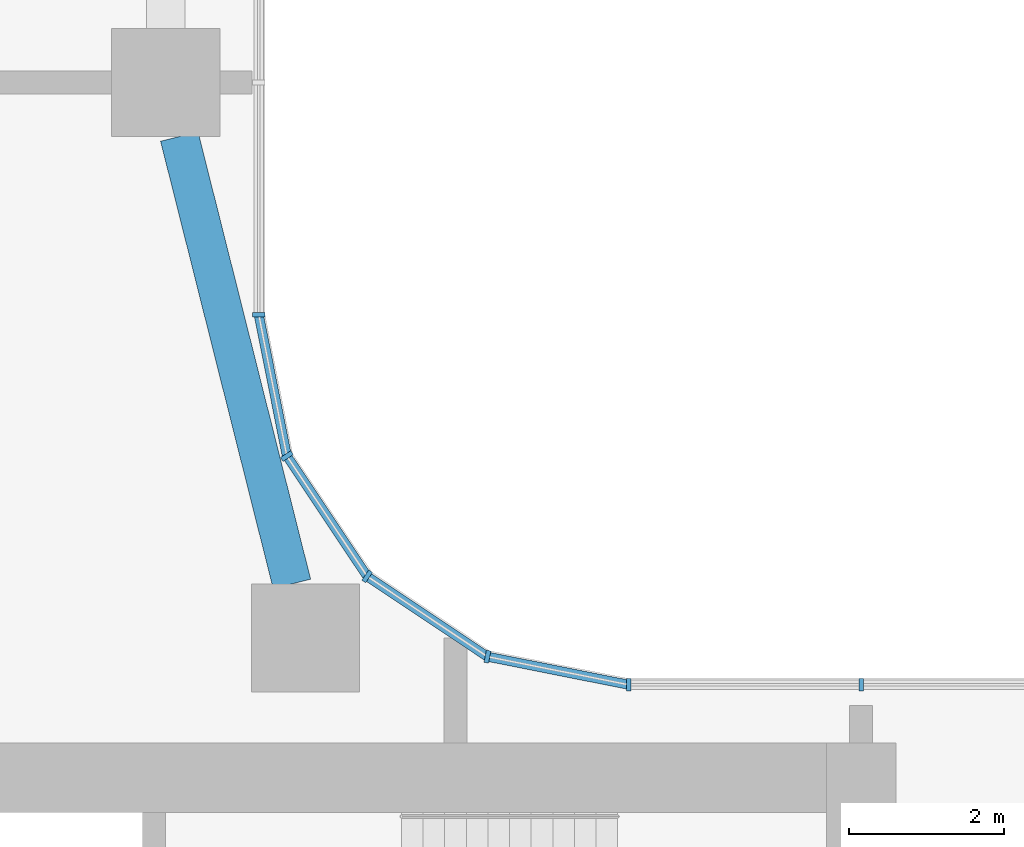
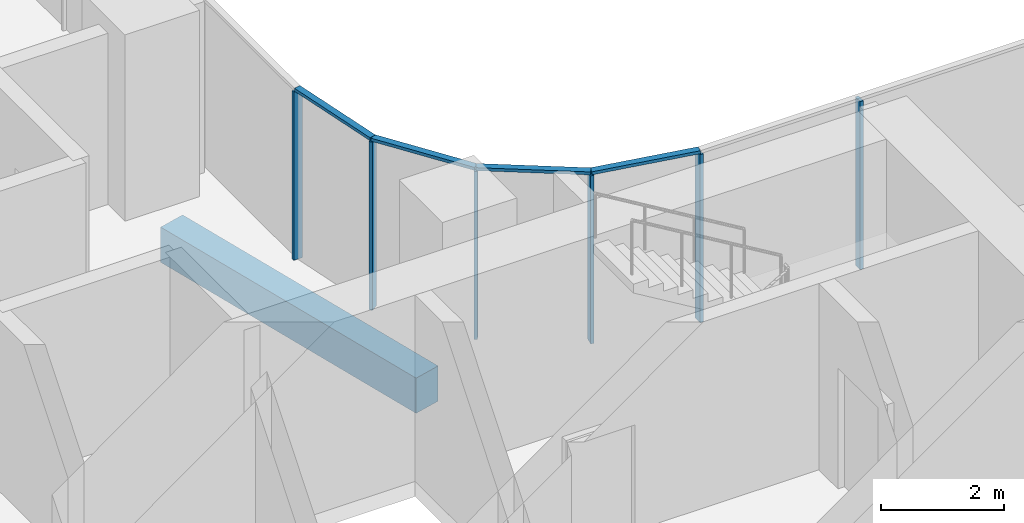
# One storey, part 2 of 36: 10 members, 1 beam, 3 elements without a shape of their own.
"""IFC4 building model written with IfcOpenShell, lengths in metres."""

from ifc_helpers import new_model, si_unit, direction, frame, origin, origin_2d, place, context, subcontext, project, spatial, rectangle, extrude, material, material_profile, profile_set, type_object, element, aggregate, save


model = new_model("IFC4")

# Units and contexts
model_context = context("Model", 3, precision=1e-05, world=origin(), true_north=direction((0.0, 1.0)))
body_context = subcontext(model_context, "Body", "Model", "MODEL_VIEW")
ifc_project = project(units=[si_unit("LENGTHUNIT", "METRE"), si_unit("AREAUNIT", "SQUARE_METRE"), si_unit("VOLUMEUNIT", "CUBIC_METRE"), si_unit("PLANEANGLEUNIT", "RADIAN"), si_unit("MASSUNIT", "GRAM", prefix="KILO")], contexts=[model_context])

# Site, building, storey
site_placement = place(None, origin())
site = spatial("IfcSite", under=ifc_project, at=site_placement, CompositionType="ELEMENT")
building_placement = place(site_placement, origin())
building = spatial("IfcBuilding", under=site, at=building_placement, Name="Ogive Portal Towers", CompositionType="ELEMENT")
storey_placement = place(building_placement, frame((0.0, 0.0, 48.300048828125)))
storey = spatial("IfcBuildingStorey", under=building, at=storey_placement, Name="L10", CompositionType="ELEMENT", Elevation=48.300048828125)

# Curtain wall, members
ifc_material_1 = material(Name="Glass, clear low-iron insulated glazing", Category="glass")
curtain_wall_type = type_object("IfcCurtainWallType", Name="CW FRONT RIBBON 4500", PredefinedType="NOTDEFINED", material=ifc_material_1)
curtain_wall_1_placement = place(storey_placement, origin())
curtain_wall_1 = element("IfcCurtainWall", 1, at=curtain_wall_1_placement, inside=storey, type_object=curtain_wall_type, Name="A:L10:f11:cw0", PredefinedType="NOTDEFINED")
ifc_material_2 = material(Name="Aluminium 6063 anodised", Category="aluminium")
ifc_material_profile_1 = material_profile(ifc_material_2, rectangle(XDim=0.159912109375, YDim=0.06005859375, at=origin_2d()), Name="AL 60x160")
ifc_profile_set_1 = profile_set([ifc_material_profile_1], Name="Aluminium 6063 anodised")
member_type_1 = type_object("IfcMemberType", Name="CW MULLION 60x160", PredefinedType="MULLION", material=ifc_profile_set_1)
member_1_placement = place(storey_placement, frame((58.5, 40.705078125, 0.0), z_axis=(0.0, 0.0, 1.0), x_axis=(0.0, -1.0, 0.0)))
member_1 = element("IfcMember", 2, at=member_1_placement, type_object=member_type_1, Name="mullion", PredefinedType="MULLION", context=body_context, shape_type="SweptSolid", body=[
    extrude(rectangle(XDim=0.159912109375, YDim=0.06005859375, at=origin_2d()), origin(), (0.0, 0.0, 1.0), 3.33984375),
])
member_2_placement = place(storey_placement, frame((55.4921875, 40.705078125, 0.0), z_axis=(0.0, 0.0, 1.0), x_axis=(0.0, -1.0, 0.0)))
member_2 = element("IfcMember", 3, at=member_2_placement, type_object=member_type_1, Name="mullion", PredefinedType="MULLION", context=body_context, shape_type="SweptSolid", body=[
    extrude(rectangle(XDim=0.159912109375, YDim=0.06005859375, at=origin_2d()), origin(), (0.0, 0.0, 1.0), 3.33984375),
])
aggregate(curtain_wall_1, [member_1, member_2])

# Curtain wall, member
curtain_wall_2_placement = place(storey_placement, origin())
curtain_wall_2 = element("IfcCurtainWall", 4, at=curtain_wall_2_placement, inside=storey, type_object=curtain_wall_type, Name="A:L10:f16:cw0", PredefinedType="NOTDEFINED")
member_3_placement = place(storey_placement, frame((50.705078125, 45.4921875, 0.0), z_axis=(0.0, 0.0, 1.0), x_axis=(-1.0, 0.0, 0.0)))
member_3 = element("IfcMember", 5, at=member_3_placement, type_object=member_type_1, Name="mullion", PredefinedType="MULLION", context=body_context, shape_type="SweptSolid", body=[
    extrude(rectangle(XDim=0.159912109375, YDim=0.06005859375, at=origin_2d()), origin(), (0.0, 0.0, 1.0), 3.33984375),
])
aggregate(curtain_wall_2, [member_3])

# Curtain wall, members
curtain_wall_3_placement = place(storey_placement, origin())
curtain_wall_3 = element("IfcCurtainWall", 6, at=curtain_wall_3_placement, inside=storey, type_object=curtain_wall_type, Name="A:L10:f12:cwa", PredefinedType="NOTDEFINED")
member_4_placement = place(storey_placement, frame((53.66455078125, 41.068603515625, 0.0), z_axis=(0.0, 0.0, 1.0), x_axis=(-0.195090322016, -0.980785280403, 0.0)))
member_4 = element("IfcMember", 7, at=member_4_placement, type_object=member_type_1, Name="mullion", PredefinedType="MULLION", context=body_context, shape_type="SweptSolid", body=[
    extrude(rectangle(XDim=0.159912109375, YDim=0.06005859375, at=origin_2d()), origin(), (0.0, 0.0, 1.0), 3.33984375),
])
member_5_placement = place(storey_placement, frame((52.1083984375, 42.1083984375, 0.0), z_axis=(0.0, 0.0, 1.0), x_axis=(-0.55557023302, -0.831469612303, 0.0)))
member_5 = element("IfcMember", 8, at=member_5_placement, type_object=member_type_1, Name="mullion", PredefinedType="MULLION", context=body_context, shape_type="SweptSolid", body=[
    extrude(rectangle(XDim=0.159912109375, YDim=0.06005859375, at=origin_2d()), origin(), (0.0, 0.0, 1.0), 3.33984375),
])
member_6_placement = place(storey_placement, frame((51.068603515625, 43.66455078125, 0.0), z_axis=(0.0, 0.0, 1.0), x_axis=(-0.831469612303, -0.55557023302, 0.0)))
member_6 = element("IfcMember", 9, at=member_6_placement, type_object=member_type_1, Name="mullion", PredefinedType="MULLION", context=body_context, shape_type="SweptSolid", body=[
    extrude(rectangle(XDim=0.159912109375, YDim=0.06005859375, at=origin_2d()), origin(), (0.0, 0.0, 1.0), 3.33984375),
])
ifc_material_profile_2 = material_profile(ifc_material_2, rectangle(XDim=0.1201171875, YDim=0.06005859375, at=origin_2d()), Name="AL 120x60")
ifc_profile_set_2 = profile_set([ifc_material_profile_2], Name="Aluminium 6063 anodised")
member_type_2 = type_object("IfcMemberType", Name="CW TRANSOM 60x120", PredefinedType="USERDEFINED", material=ifc_profile_set_2)
member_7_placement = place(storey_placement, frame((55.4921875, 40.705078125, 3.369873046875), z_axis=(-0.980786733923, 0.195083014535, 0.0), x_axis=(-0.195083014535, -0.980786733923, 0.0)))
member_7 = element("IfcMember", 10, at=member_7_placement, type_object=member_type_2, Name="transom", ObjectType="TRANSOM", PredefinedType="USERDEFINED", context=body_context, shape_type="SweptSolid", body=[
    extrude(rectangle(XDim=0.1201171875, YDim=0.06005859375, at=origin_2d()), origin(), (0.0, 0.0, 1.0), 1.863525390625),
])
member_8_placement = place(storey_placement, frame((53.66455078125, 41.068603515625, 3.369873046875), z_axis=(-0.831467842992, 0.55557288097, 0.0), x_axis=(-0.55557288097, -0.831467842992, 0.0)))
member_8 = element("IfcMember", 11, at=member_8_placement, type_object=member_type_2, Name="transom", ObjectType="TRANSOM", PredefinedType="USERDEFINED", context=body_context, shape_type="SweptSolid", body=[
    extrude(rectangle(XDim=0.1201171875, YDim=0.06005859375, at=origin_2d()), origin(), (0.0, 0.0, 1.0), 1.87158203125),
])
member_9_placement = place(storey_placement, frame((52.1083984375, 42.1083984375, 3.369873046875), z_axis=(-0.55557288097, 0.831467842992, 0.0), x_axis=(-0.831467842992, -0.55557288097, 0.0)))
member_9 = element("IfcMember", 12, at=member_9_placement, type_object=member_type_2, Name="transom", ObjectType="TRANSOM", PredefinedType="USERDEFINED", context=body_context, shape_type="SweptSolid", body=[
    extrude(rectangle(XDim=0.1201171875, YDim=0.06005859375, at=origin_2d()), origin(), (0.0, 0.0, 1.0), 1.87158203125),
])
member_10_placement = place(storey_placement, frame((51.068603515625, 43.66455078125, 3.369873046875), z_axis=(-0.195083014535, 0.980786733923, 0.0), x_axis=(-0.980786733923, -0.195083014535, 0.0)))
member_10 = element("IfcMember", 13, at=member_10_placement, type_object=member_type_2, Name="transom", ObjectType="TRANSOM", PredefinedType="USERDEFINED", context=body_context, shape_type="SweptSolid", body=[
    extrude(rectangle(XDim=0.1201171875, YDim=0.06005859375, at=origin_2d()), origin(), (0.0, 0.0, 1.0), 1.863525390625),
])
aggregate(curtain_wall_3, [member_7, member_8, member_9, member_10, member_4, member_5, member_6])

# Beam
ifc_material_3 = material(Name="Concrete C40/50", Category="concrete")
ifc_material_profile_3 = material_profile(ifc_material_3, rectangle(XDim=0.5, YDim=0.699951171875, at=origin_2d()), Name="RC 500x700")
ifc_profile_set_3 = profile_set([ifc_material_profile_3], Name="Concrete C40/50")
beam_type = type_object("IfcBeamType", Name="SPANDREL BEAM RC 500x700", PredefinedType="BEAM", material=ifc_profile_set_3)
beam_placement = place(storey_placement, frame((49.67626953125, 47.800048828125, -0.650146484375), z_axis=(0.24411317639, -0.969746748957, 0.0), x_axis=(0.969746748957, 0.24411317639, 0.0)))
element("IfcBeam", 14, at=beam_placement, inside=storey, type_object=beam_type, Name="Spandrel beam L10", PredefinedType="BEAM", context=body_context, shape_type="SweptSolid", body=[
    extrude(rectangle(XDim=0.5, YDim=0.699951171875, at=origin_2d()), origin(), (0.0, 0.0, 1.0), 5.970703125),
])

save(model, "model.ifc")
